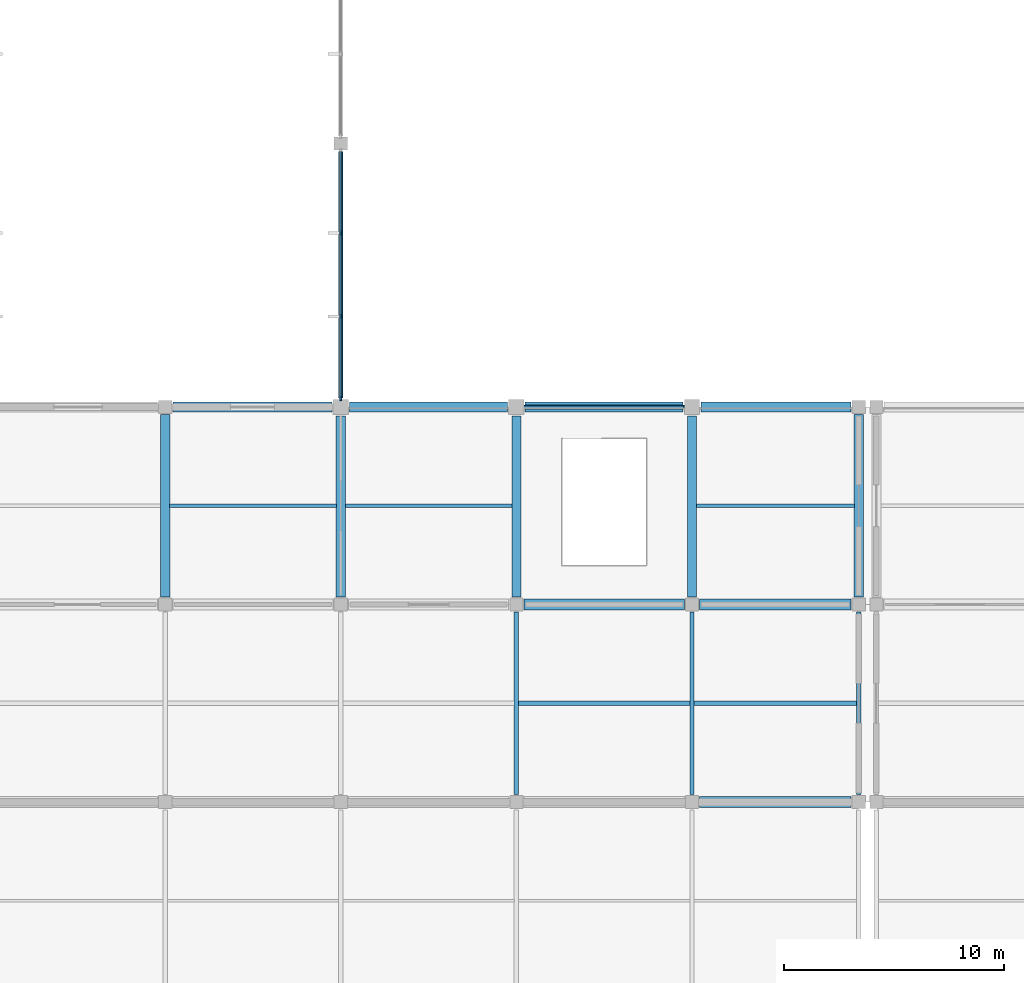
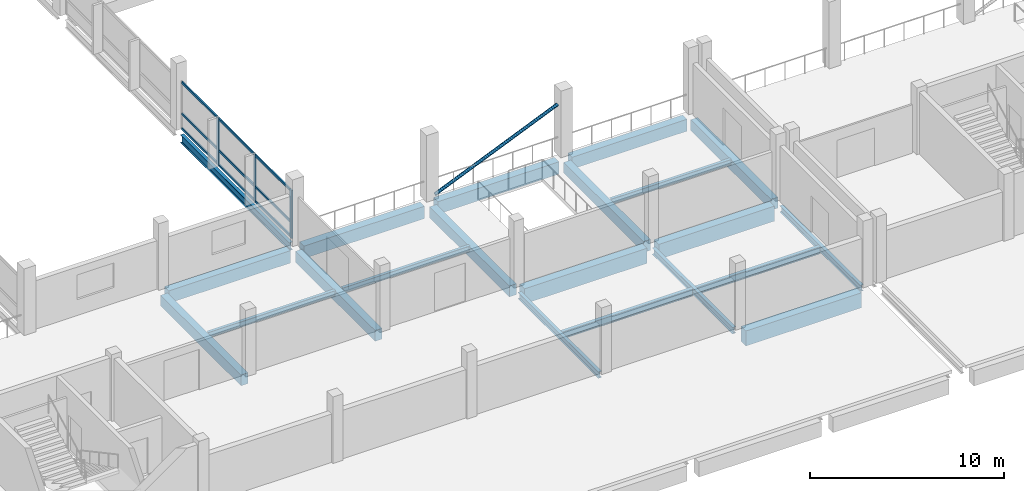
# One storey, part 10 of 57: 21 beams, 13 members, 1 element without a shape of its own.
"""IFC4 building model written with IfcOpenShell, lengths in metres."""

from ifc_helpers import new_model, si_unit, direction, frame, origin, origin_2d, place, context, subcontext, project, spatial, rectangle, hollow_circle, i_section, extrude, material, material_profile, profile_set, type_object, element, aggregate, save


model = new_model("IFC4")

# Units and contexts
model_context = context("Model", 3, precision=1e-05, world=origin(), true_north=direction((0.0, 1.0)))
body_context = subcontext(model_context, "Body", "Model", "MODEL_VIEW")
ifc_project = project(units=[si_unit("LENGTHUNIT", "METRE"), si_unit("AREAUNIT", "SQUARE_METRE"), si_unit("VOLUMEUNIT", "CUBIC_METRE"), si_unit("PLANEANGLEUNIT", "RADIAN"), si_unit("MASSUNIT", "GRAM", prefix="KILO"), si_unit("THERMODYNAMICTEMPERATUREUNIT", "KELVIN"), si_unit("POWERUNIT", "WATT")], contexts=[model_context])

# Site, building, storey
site_placement = place(None, origin())
site = spatial("IfcSite", under=ifc_project, at=site_placement, CompositionType="ELEMENT")
building_placement = place(site_placement, origin())
building = spatial("IfcBuilding", under=site, at=building_placement, Name="Kronsvod Quay Wholesale Market", CompositionType="ELEMENT")
storey_placement = place(building_placement, frame((0.0, 0.0, 4.800048828125)))
storey = spatial("IfcBuildingStorey", under=building, at=storey_placement, Name="L01", CompositionType="ELEMENT", Elevation=4.800048828125)

# Beams
ifc_material_1 = material(Name="Precast concrete C40/50", Category="concrete")
ifc_material_profile_1 = material_profile(ifc_material_1, rectangle(XDim=0.419921875, YDim=0.679931640625, at=origin_2d()), Name="PB-05")
ifc_profile_set_1 = profile_set([ifc_material_profile_1], Name="Precast concrete C40/50")
beam_type_1 = type_object("IfcBeamType", Name="Beam_PCB420x680", PredefinedType="BEAM", material=ifc_profile_set_1)
beam_1_placement = place(storey_placement, frame((96.0, 45.35009765625, -0.64013671875), z_axis=(0.0, 1.0, 0.0), x_axis=(-1.0, 0.0, 0.0)))
element("IfcBeam", 1, at=beam_1_placement, inside=storey, type_object=beam_type_1, Name="BMY-L01-960-450", PredefinedType="BEAM", context=body_context, shape_type="SweptSolid", body=[
    extrude(rectangle(XDim=0.419921875, YDim=0.679931640625, at=origin_2d()), origin(), (0.0, 0.0, 1.0), 8.2998046875),
])
for number, where, z_axis, x_axis, name in (
    (2, (104.0, 45.35009765625, -0.64013671875), (0.0, 1.0, 0.0), (-1.0, 0.0, 0.0), "BMY-L01-1040-450"),
    (3, (112.0, 45.35009765625, -0.64013671875), (0.0, 1.0, 0.0), (-1.0, 0.0, 0.0), "BMY-L01-1120-450"),
    (4, (120.0, 45.35009765625, -0.64013671875), (0.0, 1.0, 0.0), (-1.0, 0.0, 0.0), "BMY-L01-1200-450"),
):
    element("IfcBeam", number, at=place(storey_placement, frame(where, z_axis=z_axis, x_axis=x_axis)), inside=storey, type_object=beam_type_1, Name=name, PredefinedType="BEAM", context=body_context, shape_type="SweptSolid", body=[
        extrude(rectangle(XDim=0.419921875, YDim=0.679931640625, at=origin_2d()), origin(), (0.0, 0.0, 1.0), 8.25),
    ])
beam_2_placement = place(storey_placement, frame((127.60009765625, 45.35009765625, -0.64013671875), z_axis=(0.0, 1.0, 0.0), x_axis=(-1.0, 0.0, 0.0)))
element("IfcBeam", 5, at=beam_2_placement, inside=storey, type_object=beam_type_1, Name="BMY-L01-1276-450", PredefinedType="BEAM", context=body_context, shape_type="SweptSolid", body=[
    extrude(rectangle(XDim=0.419921875, YDim=0.679931640625, at=origin_2d()), origin(), (0.0, 0.0, 1.0), 8.2998046875),
])
ifc_material_2 = material(Name="Precast concrete C40/50", Category="concrete")
ifc_material_profile_2 = material_profile(ifc_material_2, rectangle(XDim=0.449951171875, YDim=0.75, at=origin_2d()), Name="PCB450x750")
ifc_profile_set_2 = profile_set([ifc_material_profile_2], Name="Precast concrete C40/50")
beam_type_2 = type_object("IfcBeamType", Name="Beam_PCB450x750", PredefinedType="BEAM", material=ifc_profile_set_2)
beam_3_placement = place(storey_placement, frame((120.39990234375, 54.0, -0.675048828125), z_axis=(1.0, 0.0, 0.0), x_axis=(0.0, 1.0, 0.0)))
element("IfcBeam", 6, at=beam_3_placement, inside=storey, type_object=beam_type_2, Name="BMX-L01-1200-540", PredefinedType="BEAM", context=body_context, shape_type="SweptSolid", body=[
    extrude(rectangle(XDim=0.449951171875, YDim=0.75, at=origin_2d()), origin(), (0.0, 0.0, 1.0), 6.85009765625),
])
ifc_material_3 = material(Name="Precast concrete C40/50", Category="concrete")
ifc_material_profile_3 = material_profile(ifc_material_3, rectangle(XDim=0.4599609375, YDim=0.780029296875, at=origin_2d()), Name="PB-03")
ifc_profile_set_3 = profile_set([ifc_material_profile_3], Name="Precast concrete C40/50")
beam_type_3 = type_object("IfcBeamType", Name="Beam_PCB460x780", PredefinedType="BEAM", material=ifc_profile_set_3)
beam_4_placement = place(storey_placement, frame((96.35009765625, 54.0, -0.68994140625), z_axis=(1.0, 0.0, 0.0), x_axis=(0.0, 1.0, 0.0)))
element("IfcBeam", 7, at=beam_4_placement, inside=storey, type_object=beam_type_3, Name="BMX-L01-960-540", PredefinedType="BEAM", context=body_context, shape_type="SweptSolid", body=[
    extrude(rectangle(XDim=0.4599609375, YDim=0.780029296875, at=origin_2d()), origin(), (0.0, 0.0, 1.0), 7.25),
])
for number, where, z_axis, x_axis, name in (
    (8, (104.39990234375, 54.0, -0.68994140625), (1.0, 0.0, 0.0), (0.0, 1.0, 0.0), "BMX-L01-1040-540"),
    (9, (112.39990234375, 54.0, -0.68994140625), (1.0, 0.0, 0.0), (0.0, 1.0, 0.0), "BMX-L01-1120-540"),
):
    element("IfcBeam", number, at=place(storey_placement, frame(where, z_axis=z_axis, x_axis=x_axis)), inside=storey, type_object=beam_type_3, Name=name, PredefinedType="BEAM", context=body_context, shape_type="SweptSolid", body=[
        extrude(rectangle(XDim=0.4599609375, YDim=0.780029296875, at=origin_2d()), origin(), (0.0, 0.0, 1.0), 7.2001953125),
    ])
ifc_material_4 = material(Name="Steel S355", Category="steel")
ifc_material_profile_4 = material_profile(ifc_material_4, i_section(OverallWidth=0.199951171875, OverallDepth=0.39990234375, WebThickness=0.008056640625, FlangeThickness=0.012939453125, FilletRadius=0.01611328125, at=origin_2d()), Name="40B2")
ifc_profile_set_4 = profile_set([ifc_material_profile_4], Name="Steel S355")
beam_type_4 = type_object("IfcBeamType", Name="Beam_Steel40B2", PredefinedType="BEAM", material=ifc_profile_set_4)
for number, where, z_axis, x_axis, name in (
    (10, (112.0, 36.35009765625, -0.5), (0.0, 1.0, 0.0), (-1.0, 0.0, 0.0), "BMY-L01-1120-360"),
    (11, (120.0, 36.35009765625, -0.5), (0.0, 1.0, 0.0), (-1.0, 0.0, 0.0), "BMY-L01-1200-360"),
    (12, (127.60009765625, 36.35009765625, -0.5), (0.0, 1.0, 0.0), (-1.0, 0.0, 0.0), "BMY-L01-1276-360"),
):
    element("IfcBeam", number, at=place(storey_placement, frame(where, z_axis=z_axis, x_axis=x_axis)), inside=storey, type_object=beam_type_4, Name=name, PredefinedType="BEAM", context=body_context, shape_type="SweptSolid", body=[
        extrude(i_section(OverallWidth=0.199951171875, OverallDepth=0.39990234375, WebThickness=0.008056640625, FlangeThickness=0.012939453125, FilletRadius=0.01611328125, at=origin_2d()), origin(), (0.0, 0.0, 1.0), 8.2998046875),
    ])
ifc_material_5 = material(Name="Steel S355", Category="steel")
ifc_material_profile_5 = material_profile(ifc_material_5, i_section(OverallWidth=0.199951171875, OverallDepth=0.449951171875, WebThickness=0.009033203125, FlangeThickness=0.013916015625, FilletRadius=0.01806640625, at=origin_2d()), Name="45B2")
ifc_profile_set_5 = profile_set([ifc_material_profile_5], Name="Steel S355")
beam_type_5 = type_object("IfcBeamType", Name="Beam_Steel45B2", PredefinedType="BEAM", material=ifc_profile_set_5)
beam_5_placement = place(storey_placement, frame((112.094970703125, 40.5, -0.525146484375), z_axis=(1.0, 0.0, 0.0), x_axis=(0.0, 1.0, 0.0)))
element("IfcBeam", 13, at=beam_5_placement, inside=storey, type_object=beam_type_5, Name="JSTX-L01-1120-360", PredefinedType="BEAM", context=body_context, shape_type="SweptSolid", body=[
    extrude(i_section(OverallWidth=0.199951171875, OverallDepth=0.449951171875, WebThickness=0.009033203125, FlangeThickness=0.013916015625, FilletRadius=0.01806640625, at=origin_2d()), origin(), (0.0, 0.0, 1.0), 7.81005859375),
])
beam_6_placement = place(storey_placement, frame((120.094970703125, 40.5, -0.525146484375), z_axis=(1.0, 0.0, 0.0), x_axis=(0.0, 1.0, 0.0)))
element("IfcBeam", 14, at=beam_6_placement, inside=storey, type_object=beam_type_5, Name="JSTX-L01-1200-360", PredefinedType="BEAM", context=body_context, shape_type="SweptSolid", body=[
    extrude(i_section(OverallWidth=0.199951171875, OverallDepth=0.449951171875, WebThickness=0.009033203125, FlangeThickness=0.013916015625, FilletRadius=0.01806640625, at=origin_2d()), origin(), (0.0, 0.0, 1.0), 7.409912109375),
])
ifc_material_6 = material(Name="Precast concrete C40/50", Category="concrete")
ifc_material_profile_6 = material_profile(ifc_material_6, rectangle(XDim=0.5, YDim=0.949951171875, at=origin_2d()), Name="PCB500x950")
ifc_profile_set_6 = profile_set([ifc_material_profile_6], Name="Precast concrete C40/50")
beam_type_6 = type_object("IfcBeamType", Name="Girder_PCB500x950", PredefinedType="T_BEAM", material=ifc_profile_set_6)
beam_7_placement = place(storey_placement, frame((120.35009765625, 36.0, -0.775146484375), z_axis=(1.0, 0.0, 0.0), x_axis=(0.0, 1.0, 0.0)))
element("IfcBeam", 15, at=beam_7_placement, inside=storey, type_object=beam_type_6, Name="BMX-L01-1200-360", PredefinedType="T_BEAM", context=body_context, shape_type="SweptSolid", body=[
    extrude(rectangle(XDim=0.5, YDim=0.949951171875, at=origin_2d()), origin(), (0.0, 0.0, 1.0), 6.89990234375),
])
beam_8_placement = place(storey_placement, frame((112.35009765625, 45.0, -0.775146484375), z_axis=(1.0, 0.0, 0.0), x_axis=(0.0, 1.0, 0.0)))
element("IfcBeam", 16, at=beam_8_placement, inside=storey, type_object=beam_type_6, Name="BMX-L01-1120-450", PredefinedType="T_BEAM", context=body_context, shape_type="SweptSolid", body=[
    extrude(rectangle(XDim=0.5, YDim=0.949951171875, at=origin_2d()), origin(), (0.0, 0.0, 1.0), 7.2998046875),
])
beam_9_placement = place(storey_placement, frame((120.35009765625, 45.0, -0.775146484375), z_axis=(1.0, 0.0, 0.0), x_axis=(0.0, 1.0, 0.0)))
element("IfcBeam", 17, at=beam_9_placement, inside=storey, type_object=beam_type_6, Name="BMX-L01-1200-450", PredefinedType="T_BEAM", context=body_context, shape_type="SweptSolid", body=[
    extrude(rectangle(XDim=0.5, YDim=0.949951171875, at=origin_2d()), origin(), (0.0, 0.0, 1.0), 6.89990234375),
])
ifc_material_7 = material(Name="Steel S355", Category="steel")
ifc_material_profile_7 = material_profile(ifc_material_7, i_section(OverallWidth=0.198974609375, OverallDepth=0.49609375, WebThickness=0.009033203125, FlangeThickness=0.013916015625, FilletRadius=0.02001953125, at=origin_2d()), Name="50B1")
ifc_profile_set_7 = profile_set([ifc_material_profile_7], Name="Steel S355")
beam_type_7 = type_object("IfcBeamType", Name="Girder_Steel50B1", PredefinedType="T_BEAM", material=ifc_profile_set_7)
beam_10_placement = place(storey_placement, frame((104.0, 54.39990234375, -0.548095703125), z_axis=(0.0, 1.0, 0.0), x_axis=(-1.0, 0.0, 0.0)))
element("IfcBeam", 18, at=beam_10_placement, inside=storey, type_object=beam_type_7, Name="BMY-L01-1040-540", PredefinedType="T_BEAM", context=body_context, shape_type="SweptSolid", body=[
    extrude(i_section(OverallWidth=0.198974609375, OverallDepth=0.49609375, WebThickness=0.009033203125, FlangeThickness=0.013916015625, FilletRadius=0.02001953125, at=origin_2d()), origin(), (0.0, 0.0, 1.0), 11.25),
])
ifc_material_8 = material(Name="Steel S355", Category="steel")
ifc_material_profile_8 = material_profile(ifc_material_8, i_section(OverallWidth=0.175048828125, OverallDepth=0.35009765625, WebThickness=0.007080078125, FlangeThickness=0.010986328125, FilletRadius=0.013916015625, at=origin_2d()), Name="35B2")
ifc_profile_set_8 = profile_set([ifc_material_profile_8], Name="Steel S355")
beam_type_8 = type_object("IfcBeamType", Name="Joist_Steel35B2", PredefinedType="JOIST", material=ifc_profile_set_8)
for number, where, z_axis, x_axis, name in (
    (19, (96.205078125, 49.5, -0.405029296875), (1.0, 0.0, 0.0), (0.0, 1.0, 0.0), "JSTX-L01-960-450"),
    (20, (104.205078125, 49.5, -0.405029296875), (1.0, 0.0, 0.0), (0.0, 1.0, 0.0), "JSTX-L01-1040-450"),
):
    element("IfcBeam", number, at=place(storey_placement, frame(where, z_axis=z_axis, x_axis=x_axis)), inside=storey, type_object=beam_type_8, Name=name, PredefinedType="JOIST", context=body_context, shape_type="SweptSolid", body=[
        extrude(i_section(OverallWidth=0.175048828125, OverallDepth=0.35009765625, WebThickness=0.007080078125, FlangeThickness=0.010986328125, FilletRadius=0.013916015625, at=origin_2d()), origin(), (0.0, 0.0, 1.0), 7.58984375),
    ])
beam_11_placement = place(storey_placement, frame((120.205078125, 49.5, -0.405029296875), z_axis=(1.0, 0.0, 0.0), x_axis=(0.0, 1.0, 0.0)))
element("IfcBeam", 21, at=beam_11_placement, inside=storey, type_object=beam_type_8, Name="JSTX-L01-1200-450", PredefinedType="JOIST", context=body_context, shape_type="SweptSolid", body=[
    extrude(i_section(OverallWidth=0.175048828125, OverallDepth=0.35009765625, WebThickness=0.007080078125, FlangeThickness=0.010986328125, FilletRadius=0.013916015625, at=origin_2d()), origin(), (0.0, 0.0, 1.0), 7.18994140625),
])

# Member
ifc_material_9 = material(Name="Steel S355", Category="steel")
ifc_material_profile_9 = material_profile(ifc_material_9, hollow_circle(Radius=0.096923828125, WallThickness=0.008056640625, at=origin_2d()), Name="CHS194x8")
ifc_profile_set_9 = profile_set([ifc_material_profile_9], Name="Steel S355")
member_type_1 = type_object("IfcMemberType", Name="Member_Brace194x8", PredefinedType="BRACE", material=ifc_profile_set_9)
member_1_placement = place(storey_placement, frame((112.340087890625, 54.0, 0.050048828125), z_axis=(0.919925623213, 0.0, 0.392092907046), x_axis=(0.0, 1.0, 0.0)))
element("IfcMember", 22, at=member_1_placement, inside=storey, type_object=member_type_1, Name="BRCG-L01-1120-540-A", PredefinedType="BRACE", context=body_context, shape_type="SweptSolid", body=[
    extrude(hollow_circle(Radius=0.096923828125, WallThickness=0.008056640625, at=origin_2d()), origin(), (0.0, 0.0, 1.0), 7.95703125),
])

# Curtain wall, members
ifc_material_10 = material(Name="Thermally broken aluminium and triple low-E glazing", Category="aluminium")
curtain_wall_type = type_object("IfcCurtainWallType", Name="CW_Court120x35", PredefinedType="NOTDEFINED", material=ifc_material_10)
curtain_wall_placement = place(storey_placement, origin())
curtain_wall = element("IfcCurtainWall", 23, at=curtain_wall_placement, inside=storey, type_object=curtain_wall_type, Name="CWGY-L01-1040-540", PredefinedType="NOTDEFINED")
ifc_material_11 = material(Name="Anodised aluminium", Category="aluminium")
ifc_material_profile_10 = material_profile(ifc_material_11, rectangle(XDim=0.074951171875, YDim=0.199951171875, at=origin_2d()), Name="ALUM75x200")
ifc_profile_set_10 = profile_set([ifc_material_profile_10], Name="Anodised aluminium")
member_type_2 = type_object("IfcMemberType", Name="Mullion_ALU75x200", PredefinedType="MULLION", material=ifc_profile_set_10)
member_2_placement = place(storey_placement, frame((104.0, 61.918212890625, 0.0), z_axis=(0.0, 0.0, 1.0), x_axis=(1.0, 0.0, 0.0)))
member_2 = element("IfcMember", 24, at=member_2_placement, type_object=member_type_2, Name="CWGY-L01-1040-540-M2", PredefinedType="MULLION", context=body_context, shape_type="SweptSolid", body=[
    extrude(rectangle(XDim=0.074951171875, YDim=0.199951171875, at=origin_2d()), origin(), (0.0, 0.0, 1.0), 3.050048828125),
])
member_3_placement = place(storey_placement, frame((104.0, 58.131591796875, 0.0), z_axis=(0.0, 0.0, 1.0), x_axis=(1.0, 0.0, 0.0)))
member_3 = element("IfcMember", 25, at=member_3_placement, type_object=member_type_2, Name="CWGY-L01-1040-540-M3", PredefinedType="MULLION", context=body_context, shape_type="SweptSolid", body=[
    extrude(rectangle(XDim=0.074951171875, YDim=0.199951171875, at=origin_2d()), origin(), (0.0, 0.0, 1.0), 3.050048828125),
])
member_4_placement = place(storey_placement, frame((104.0, 54.382568359375, 0.0), z_axis=(0.0, 0.0, 1.0), x_axis=(1.0, 0.0, 0.0)))
member_4 = element("IfcMember", 26, at=member_4_placement, type_object=member_type_2, Name="CWGY-L01-1040-540-M4", PredefinedType="MULLION", context=body_context, shape_type="SweptSolid", body=[
    extrude(rectangle(XDim=0.074951171875, YDim=0.199951171875, at=origin_2d()), origin(), (0.0, 0.0, 1.0), 3.050048828125),
])
ifc_material_12 = material(Name="Anodised aluminium", Category="aluminium")
ifc_material_profile_11 = material_profile(ifc_material_12, rectangle(XDim=0.074951171875, YDim=0.14990234375, at=origin_2d()), Name="ALUT75x150")
ifc_profile_set_11 = profile_set([ifc_material_profile_11], Name="Anodised aluminium")
member_type_3 = type_object("IfcMemberType", Name="Transom_ALU75x150", PredefinedType="USERDEFINED", material=ifc_profile_set_11)
member_5_placement = place(storey_placement, frame((104.0, 65.6298828125, 0.074951171875), z_axis=(0.0, -1.0, 0.0), x_axis=(1.0, 0.0, 0.0)))
member_5 = element("IfcMember", 27, at=member_5_placement, type_object=member_type_3, Name="CWGY-L01-1040-540-T1B1", ObjectType="TRANSOM", PredefinedType="USERDEFINED", context=body_context, shape_type="SweptSolid", body=[
    extrude(rectangle(XDim=0.074951171875, YDim=0.14990234375, at=origin_2d()), origin(), (0.0, 0.0, 1.0), 3.674072265625),
])
member_6_placement = place(storey_placement, frame((104.0, 61.880859375, 0.074951171875), z_axis=(0.0, -1.0, 0.0), x_axis=(1.0, 0.0, 0.0)))
member_6 = element("IfcMember", 28, at=member_6_placement, type_object=member_type_3, Name="CWGY-L01-1040-540-T1B2", ObjectType="TRANSOM", PredefinedType="USERDEFINED", context=body_context, shape_type="SweptSolid", body=[
    extrude(rectangle(XDim=0.074951171875, YDim=0.14990234375, at=origin_2d()), origin(), (0.0, 0.0, 1.0), 3.711669921875),
])
member_7_placement = place(storey_placement, frame((104.0, 58.09423828125, 0.074951171875), z_axis=(0.0, -1.0, 0.0), x_axis=(1.0, 0.0, 0.0)))
member_7 = element("IfcMember", 29, at=member_7_placement, type_object=member_type_3, Name="CWGY-L01-1040-540-T1B3", ObjectType="TRANSOM", PredefinedType="USERDEFINED", context=body_context, shape_type="SweptSolid", body=[
    extrude(rectangle(XDim=0.074951171875, YDim=0.14990234375, at=origin_2d()), origin(), (0.0, 0.0, 1.0), 3.67431640625),
])
member_8_placement = place(storey_placement, frame((104.0, 65.6298828125, 1.0), z_axis=(0.0, -1.0, 0.0), x_axis=(1.0, 0.0, 0.0)))
member_8 = element("IfcMember", 30, at=member_8_placement, type_object=member_type_3, Name="CWGY-L01-1040-540-T2B1", ObjectType="TRANSOM", PredefinedType="USERDEFINED", context=body_context, shape_type="SweptSolid", body=[
    extrude(rectangle(XDim=0.074951171875, YDim=0.14990234375, at=origin_2d()), origin(), (0.0, 0.0, 1.0), 3.674072265625),
])
member_9_placement = place(storey_placement, frame((104.0, 61.880859375, 1.0), z_axis=(0.0, -1.0, 0.0), x_axis=(1.0, 0.0, 0.0)))
member_9 = element("IfcMember", 31, at=member_9_placement, type_object=member_type_3, Name="CWGY-L01-1040-540-T2B2", ObjectType="TRANSOM", PredefinedType="USERDEFINED", context=body_context, shape_type="SweptSolid", body=[
    extrude(rectangle(XDim=0.074951171875, YDim=0.14990234375, at=origin_2d()), origin(), (0.0, 0.0, 1.0), 3.711669921875),
])
member_10_placement = place(storey_placement, frame((104.0, 58.09423828125, 1.0), z_axis=(0.0, -1.0, 0.0), x_axis=(1.0, 0.0, 0.0)))
member_10 = element("IfcMember", 32, at=member_10_placement, type_object=member_type_3, Name="CWGY-L01-1040-540-T2B3", ObjectType="TRANSOM", PredefinedType="USERDEFINED", context=body_context, shape_type="SweptSolid", body=[
    extrude(rectangle(XDim=0.074951171875, YDim=0.14990234375, at=origin_2d()), origin(), (0.0, 0.0, 1.0), 3.67431640625),
])
member_11_placement = place(storey_placement, frame((104.0, 65.6298828125, 2.974853515625), z_axis=(0.0, -1.0, 0.0), x_axis=(1.0, 0.0, 0.0)))
member_11 = element("IfcMember", 33, at=member_11_placement, type_object=member_type_3, Name="CWGY-L01-1040-540-T3B1", ObjectType="TRANSOM", PredefinedType="USERDEFINED", context=body_context, shape_type="SweptSolid", body=[
    extrude(rectangle(XDim=0.074951171875, YDim=0.14990234375, at=origin_2d()), origin(), (0.0, 0.0, 1.0), 3.674072265625),
])
member_12_placement = place(storey_placement, frame((104.0, 61.880859375, 2.974853515625), z_axis=(0.0, -1.0, 0.0), x_axis=(1.0, 0.0, 0.0)))
member_12 = element("IfcMember", 34, at=member_12_placement, type_object=member_type_3, Name="CWGY-L01-1040-540-T3B2", ObjectType="TRANSOM", PredefinedType="USERDEFINED", context=body_context, shape_type="SweptSolid", body=[
    extrude(rectangle(XDim=0.074951171875, YDim=0.14990234375, at=origin_2d()), origin(), (0.0, 0.0, 1.0), 3.711669921875),
])
member_13_placement = place(storey_placement, frame((104.0, 58.09423828125, 2.974853515625), z_axis=(0.0, -1.0, 0.0), x_axis=(1.0, 0.0, 0.0)))
member_13 = element("IfcMember", 35, at=member_13_placement, type_object=member_type_3, Name="CWGY-L01-1040-540-T3B3", ObjectType="TRANSOM", PredefinedType="USERDEFINED", context=body_context, shape_type="SweptSolid", body=[
    extrude(rectangle(XDim=0.074951171875, YDim=0.14990234375, at=origin_2d()), origin(), (0.0, 0.0, 1.0), 3.67431640625),
])
aggregate(curtain_wall, [member_2, member_3, member_4, member_5, member_6, member_7, member_8, member_9, member_10, member_11, member_12, member_13])

save(model, "model.ifc")
